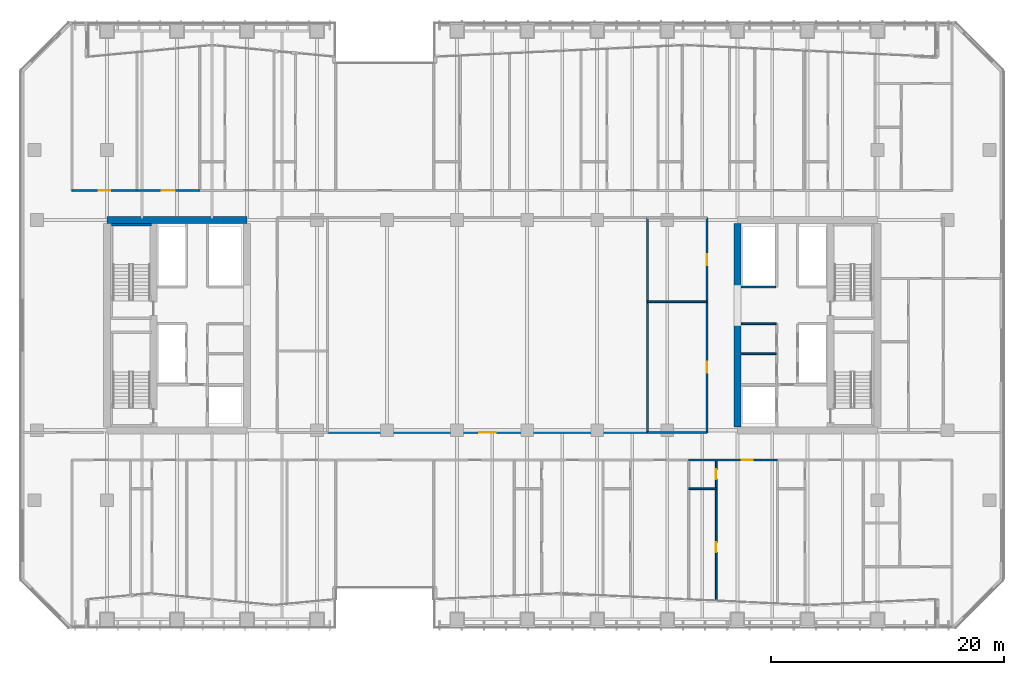
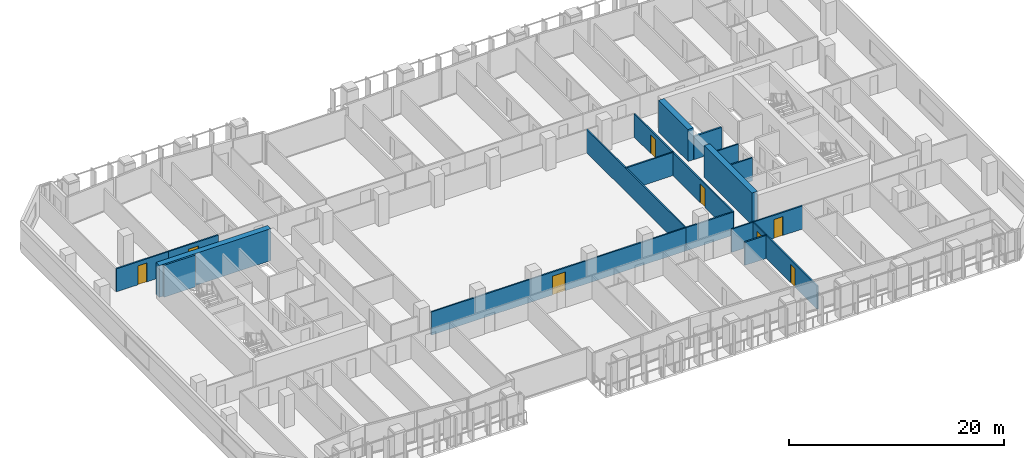
# One storey, part 20 of 31: 18 walls, 8 doors, 8 openings.
"""IFC4 building model written with IfcOpenShell, lengths in metres."""

from ifc_helpers import new_model, si_unit, direction, frame, frame_2d, origin, place, context, subcontext, project, spatial, rectangle, extrude, material, layer, layer_set, type_object, element, fill, save


model = new_model("IFC4")

# Units and contexts
model_context = context("Model", 3, precision=1e-05, world=origin(), true_north=direction((0.0, 1.0)))
body_context = subcontext(model_context, "Body", "Model", "MODEL_VIEW")
ifc_project = project(units=[si_unit("LENGTHUNIT", "METRE"), si_unit("AREAUNIT", "SQUARE_METRE"), si_unit("VOLUMEUNIT", "CUBIC_METRE"), si_unit("PLANEANGLEUNIT", "RADIAN"), si_unit("MASSUNIT", "GRAM", prefix="KILO")], contexts=[model_context])

# Site, building, storey
site_placement = place(None, origin())
site = spatial("IfcSite", under=ifc_project, at=site_placement, CompositionType="ELEMENT")
building_placement = place(site_placement, origin())
building = spatial("IfcBuilding", under=site, at=building_placement, Name="Tanjung Sevakor Pilgrim Tower", CompositionType="ELEMENT")
storey_placement = place(building_placement, frame((0.0, 0.0, 58.739990234375)))
storey = spatial("IfcBuildingStorey", under=building, at=storey_placement, Name="L16", CompositionType="ELEMENT", Elevation=58.739990234375)

# Walls
ifc_material_1 = material(Name="Concrete C60/75", Category="concrete")
ifc_layer_1 = layer(ifc_material_1, 0.60009765625)
ifc_layer_set_1 = layer_set([ifc_layer_1], Name="WALL-CW-600")
wall_type_1 = type_object("IfcWallType", Name="WALL-CW-600", PredefinedType="SHEAR", material=ifc_layer_set_1)
wall_1_placement = place(storey_placement, frame((36.0, 42.60009765625, 0.0), z_axis=(0.0, 0.0, 1.0), x_axis=(-1.0, 0.0, 0.0)))
element("IfcWall", 1, at=wall_1_placement, inside=storey, type_object=wall_type_1, Name="L16 W Core North Shear Wall", PredefinedType="SHEAR", context=body_context, shape_type="SweptSolid", body=[
    extrude(rectangle(XDim=12.0, YDim=0.60009765625, at=frame_2d((6.0, 0.0))), origin(), (0.0, 0.0, 1.0), 3.630126953125),
])
wall_2_placement = place(storey_placement, frame((78.0, 24.89990234375, 0.0), z_axis=(0.0, 0.0, 1.0), x_axis=(0.0, 1.0, 0.0)))
element("IfcWall", 2, at=wall_2_placement, inside=storey, type_object=wall_type_1, Name="L16 E Core Inner Shear Wall South", PredefinedType="SHEAR", context=body_context, shape_type="SweptSolid", body=[
    extrude(rectangle(XDim=8.900146484375, YDim=0.60009765625, at=frame_2d((4.4501953125, 0.0))), origin(), (0.0, 0.0, 1.0), 3.630126953125),
])
wall_3_placement = place(storey_placement, frame((78.0, 36.800048828125, 0.0), z_axis=(0.0, 0.0, 1.0), x_axis=(0.0, 1.0, 0.0)))
element("IfcWall", 3, at=wall_3_placement, inside=storey, type_object=wall_type_1, Name="L16 E Core Inner Shear Wall North", PredefinedType="SHEAR", context=body_context, shape_type="SweptSolid", body=[
    extrude(rectangle(XDim=5.5, YDim=0.60009765625, at=frame_2d((2.75, 0.0))), origin(), (0.0, 0.0, 1.0), 3.630126953125),
])
ifc_material_2 = material(Name="Concrete C40/50", Category="concrete")
ifc_layer_2 = layer(ifc_material_2, 0.14990234375)
ifc_layer_set_2 = layer_set([ifc_layer_2], Name="WT-COMP-150")
wall_type_2 = type_object("IfcWallType", Name="WT-COMP-150", PredefinedType="SOLIDWALL", material=ifc_layer_set_2)
for number, where, z_axis, x_axis, name in (
    (4, (78.320068359375, 31.14990234375, 0.0), (0.0, 0.0, 1.0), (1.0, 0.0, 0.0), "L16 Partition IW-L16-016"),
    (5, (78.320068359375, 33.719970703125, 0.0), (0.0, 0.0, 1.0), (1.0, 0.0, 0.0), "L16 Partition IW-L16-017"),
):
    element("IfcWall", number, at=place(storey_placement, frame(where, z_axis=z_axis, x_axis=x_axis)), inside=storey, type_object=wall_type_2, Name=name, PredefinedType="SOLIDWALL", context=body_context, shape_type="SweptSolid", body=[
        extrude(rectangle(XDim=3.0, YDim=0.14990234375, at=frame_2d((1.5, 0.0))), origin(), (0.0, 0.0, 1.0), 2.6298828125),
    ])

# Wall, opening, door
wall_4_placement = place(storey_placement, frame((42.89990234375, 24.39990234375, 0.0), z_axis=(0.0, 0.0, 1.0), x_axis=(1.0, 0.0, 0.0)))
wall_4 = element("IfcWall", 6, at=wall_4_placement, inside=storey, type_object=wall_type_2, Name="L16 Partition IW-L16-028", PredefinedType="SOLIDWALL", context=body_context, shape_type="SweptSolid", body=[
    extrude(rectangle(XDim=27.400146484375, YDim=0.14990234375, at=frame_2d((13.7001953125, 0.0))), origin(), (0.0, 0.0, 1.0), 2.625244140625),
])
opening_1_placement = place(wall_4_placement, frame((13.0, 0.0, 0.0)))
opening_1 = element("IfcOpeningElement", 7, at=opening_1_placement, cuts=wall_4, Name="Opening ID-HD1", PredefinedType="OPENING", context=body_context, shape_type="SweptSolid", body=[
    extrude(rectangle(XDim=1.39990234375, YDim=2.14990234375, at=frame_2d((0.699951171875, 1.074951171875))), frame((0.0, 0.0849609375, 0.0), z_axis=(0.0, -1.0, 0.0), x_axis=(1.0, 0.0, 0.0)), (0.0, 0.0, 1.0), 0.169921875),
])
ifc_material_3 = material(Name="Hardwood Timber", Category="wood")
door_type_1 = type_object("IfcDoorType", Name="DT-INT-1400", OperationType="DOUBLE_DOOR_SINGLE_SWING", PredefinedType="DOOR", material=ifc_material_3)
door_1_placement = place(opening_1_placement, origin())
door_1 = element("IfcDoor", 8, at=door_1_placement, inside=storey, type_object=door_type_1, Name="L16 Sky-Prayer Sanctuary Door", OperationType="SINGLE_SWING_RIGHT", OverallHeight=2.14990234375, OverallWidth=1.39990234375, PredefinedType="DOOR", context=body_context, shape_type="SweptSolid", body=[
    extrude(rectangle(XDim=1.39990234375, YDim=2.14990234375, at=frame_2d((0.699951171875, 1.074951171875))), frame((0.0, 0.02490234375, 0.0), z_axis=(0.0, -1.0, 0.0), x_axis=(1.0, 0.0, 0.0)), (0.0, 0.0, 1.0), 0.050048828125),
])
fill(opening_1, door_1)

# Walls
wall_5_placement = place(storey_placement, frame((70.300048828125, 24.39990234375, 0.0), z_axis=(0.0, 0.0, 1.0), x_axis=(0.0, 1.0, 0.0)))
element("IfcWall", 9, at=wall_5_placement, inside=storey, type_object=wall_type_2, Name="L16 Partition IW-L16-031", PredefinedType="SOLIDWALL", context=body_context, shape_type="SweptSolid", body=[
    extrude(rectangle(XDim=18.400146484375, YDim=0.14990234375, at=frame_2d((9.2001953125, 0.0))), origin(), (0.0, 0.0, 1.0), 2.6298828125),
])
wall_6_placement = place(storey_placement, frame((70.300048828125, 24.39990234375, 0.0), z_axis=(0.0, 0.0, 1.0), x_axis=(1.0, 0.0, 0.0)))
element("IfcWall", 10, at=wall_6_placement, inside=storey, type_object=wall_type_2, Name="L16 Partition IW-L16-032", PredefinedType="SOLIDWALL", context=body_context, shape_type="SweptSolid", body=[
    extrude(rectangle(XDim=5.099853515625, YDim=0.14990234375, at=frame_2d((2.5498046875, 0.0))), origin(), (0.0, 0.0, 1.0), 2.625244140625),
])
wall_7_placement = place(storey_placement, frame((70.300048828125, 35.60009765625, 0.0), z_axis=(0.0, 0.0, 1.0), x_axis=(1.0, 0.0, 0.0)))
element("IfcWall", 11, at=wall_7_placement, inside=storey, type_object=wall_type_2, Name="L16 Partition IW-L16-033", PredefinedType="SOLIDWALL", context=body_context, shape_type="SweptSolid", body=[
    extrude(rectangle(XDim=5.099853515625, YDim=0.14990234375, at=frame_2d((2.5498046875, 0.0))), origin(), (0.0, 0.0, 1.0), 2.6298828125),
])

# Wall, opening, door
wall_8_placement = place(storey_placement, frame((75.39990234375, 24.39990234375, 0.0), z_axis=(0.0, 0.0, 1.0), x_axis=(0.0, 1.0, 0.0)))
wall_8 = element("IfcWall", 12, at=wall_8_placement, inside=storey, type_object=wall_type_2, Name="L16 Partition IW-L16-034", PredefinedType="SOLIDWALL", context=body_context, shape_type="SweptSolid", body=[
    extrude(rectangle(XDim=11.2001953125, YDim=0.14990234375, at=frame_2d((5.60009765625, 0.0))), origin(), (0.0, 0.0, 1.0), 2.6298828125),
])
opening_2_placement = place(wall_8_placement, frame((5.125, 0.0, 0.0)))
opening_2 = element("IfcOpeningElement", 13, at=opening_2_placement, cuts=wall_8, Name="Opening ID-RM1", PredefinedType="OPENING", context=body_context, shape_type="SweptSolid", body=[
    extrude(rectangle(XDim=0.949951171875, YDim=2.14990234375, at=frame_2d((0.47509765625, 1.074951171875))), frame((0.0, 0.0849609375, 0.0), z_axis=(0.0, -1.0, 0.0), x_axis=(1.0, 0.0, 0.0)), (0.0, 0.0, 1.0), 0.169921875),
])
ifc_material_4 = material(Name="Hardwood Timber", Category="wood")
door_type_2 = type_object("IfcDoorType", Name="DT-INT-950", OperationType="NOTDEFINED", PredefinedType="DOOR", material=ifc_material_4)
door_2_placement = place(opening_2_placement, origin())
door_2 = element("IfcDoor", 14, at=door_2_placement, inside=storey, type_object=door_type_2, Name="L16 Female Ablution Door", OperationType="SINGLE_SWING_LEFT", OverallHeight=2.14990234375, OverallWidth=0.949951171875, PredefinedType="DOOR", context=body_context, shape_type="SweptSolid", body=[
    extrude(rectangle(XDim=0.949951171875, YDim=2.14990234375, at=frame_2d((0.47509765625, 1.074951171875))), frame((0.0, 0.02490234375, 0.0), z_axis=(0.0, -1.0, 0.0), x_axis=(1.0, 0.0, 0.0)), (0.0, 0.0, 1.0), 0.050048828125),
])
fill(opening_2, door_2)

wall_9_placement = place(storey_placement, frame((75.39990234375, 35.60009765625, 0.0), z_axis=(0.0, 0.0, 1.0), x_axis=(0.0, 1.0, 0.0)))
wall_9 = element("IfcWall", 15, at=wall_9_placement, inside=storey, type_object=wall_type_2, Name="L16 Partition IW-L16-036", PredefinedType="SOLIDWALL", context=body_context, shape_type="SweptSolid", body=[
    extrude(rectangle(XDim=7.199951171875, YDim=0.14990234375, at=frame_2d((3.60009765625, 0.0))), origin(), (0.0, 0.0, 1.0), 2.6298828125),
])
opening_3_placement = place(wall_9_placement, frame((3.125, 0.0, 0.0)))
opening_3 = element("IfcOpeningElement", 16, at=opening_3_placement, cuts=wall_9, Name="Opening ID-RM1", PredefinedType="OPENING", context=body_context, shape_type="SweptSolid", body=[
    extrude(rectangle(XDim=0.949951171875, YDim=2.14990234375, at=frame_2d((0.47509765625, 1.074951171875))), frame((0.0, 0.0849609375, 0.0), z_axis=(0.0, -1.0, 0.0), x_axis=(1.0, 0.0, 0.0)), (0.0, 0.0, 1.0), 0.169921875),
])
door_3_placement = place(opening_3_placement, origin())
door_3 = element("IfcDoor", 17, at=door_3_placement, inside=storey, type_object=door_type_2, Name="L16 Female Washroom Door", OperationType="SINGLE_SWING_RIGHT", OverallHeight=2.14990234375, OverallWidth=0.949951171875, PredefinedType="DOOR", context=body_context, shape_type="SweptSolid", body=[
    extrude(rectangle(XDim=0.949951171875, YDim=2.14990234375, at=frame_2d((0.47509765625, 1.074951171875))), frame((0.0, 0.02490234375, 0.0), z_axis=(0.0, -1.0, 0.0), x_axis=(1.0, 0.0, 0.0)), (0.0, 0.0, 1.0), 0.050048828125),
])
fill(opening_3, door_3)

wall_10_placement = place(storey_placement, frame((73.8369140625, 22.050048828125, 0.0), z_axis=(0.0, 0.0, 1.0), x_axis=(1.0, 0.0, 0.0)))
wall_10 = element("IfcWall", 18, at=wall_10_placement, inside=storey, type_object=wall_type_2, Name="L16 Partition IW-L16-076", PredefinedType="SOLIDWALL", context=body_context, shape_type="SweptSolid", body=[
    extrude(rectangle(XDim=7.614990234375, YDim=0.14990234375, at=frame_2d((3.8076171875, 0.0))), origin(), (0.0, 0.0, 1.0), 2.6298828125),
])
opening_4_placement = place(wall_10_placement, frame((4.547607421875, 0.0, 0.0)))
opening_4 = element("IfcOpeningElement", 19, at=opening_4_placement, cuts=wall_10, Name="Opening ID-FD2", PredefinedType="OPENING", context=body_context, shape_type="SweptSolid", body=[
    extrude(rectangle(XDim=0.949951171875, YDim=2.14990234375, at=frame_2d((0.47509765625, 1.074951171875))), frame((0.0, 0.0849609375, 0.0), z_axis=(0.0, -1.0, 0.0), x_axis=(1.0, 0.0, 0.0)), (0.0, 0.0, 1.0), 0.169921875),
])
ifc_material_5 = material(Name="Fire-Rated Timber", Category="wood")
door_type_3 = type_object("IfcDoorType", Name="DT-FIRE-950", OperationType="NOTDEFINED", PredefinedType="DOOR", material=ifc_material_5)
door_4_placement = place(opening_4_placement, origin())
door_4 = element("IfcDoor", 20, at=door_4_placement, inside=storey, type_object=door_type_3, Name="Hostel Quad Entrance", OperationType="SINGLE_SWING_RIGHT", OverallHeight=2.14990234375, OverallWidth=0.949951171875, PredefinedType="DOOR", context=body_context, shape_type="SweptSolid", body=[
    extrude(rectangle(XDim=0.949951171875, YDim=2.14990234375, at=frame_2d((0.47509765625, 1.074951171875))), frame((0.0, 0.02490234375, 0.0), z_axis=(0.0, -1.0, 0.0), x_axis=(1.0, 0.0, 0.0)), (0.0, 0.0, 1.0), 0.050048828125),
])
fill(opening_4, door_4)

wall_11_placement = place(storey_placement, frame((21.0, 45.14990234375, 0.0), z_axis=(0.0, 0.0, 1.0), x_axis=(1.0, 0.0, 0.0)))
wall_11 = element("IfcWall", 21, at=wall_11_placement, inside=storey, type_object=wall_type_2, Name="L16 Partition IW-L16-087", PredefinedType="SOLIDWALL", context=body_context, shape_type="SweptSolid", body=[
    extrude(rectangle(XDim=5.581298828125, YDim=0.14990234375, at=frame_2d((2.79052734375, 0.0))), origin(), (0.0, 0.0, 1.0), 2.6298828125),
])
opening_5_placement = place(wall_11_placement, frame((2.315673828125, 0.0, 0.0)))
opening_5 = element("IfcOpeningElement", 22, at=opening_5_placement, cuts=wall_11, Name="Opening ID-FD2", PredefinedType="OPENING", context=body_context, shape_type="SweptSolid", body=[
    extrude(rectangle(XDim=0.949951171875, YDim=2.14990234375, at=frame_2d((0.47509765625, 1.074951171875))), frame((0.0, 0.0849609375, 0.0), z_axis=(0.0, -1.0, 0.0), x_axis=(1.0, 0.0, 0.0)), (0.0, 0.0, 1.0), 0.169921875),
])
door_5_placement = place(opening_5_placement, origin())
door_5 = element("IfcDoor", 23, at=door_5_placement, inside=storey, type_object=door_type_3, Name="Study Room Entrance", OperationType="SINGLE_SWING_RIGHT", OverallHeight=2.14990234375, OverallWidth=0.949951171875, PredefinedType="DOOR", context=body_context, shape_type="SweptSolid", body=[
    extrude(rectangle(XDim=0.949951171875, YDim=2.14990234375, at=frame_2d((0.47509765625, 1.074951171875))), frame((0.0, 0.02490234375, 0.0), z_axis=(0.0, -1.0, 0.0), x_axis=(1.0, 0.0, 0.0)), (0.0, 0.0, 1.0), 0.050048828125),
])
fill(opening_5, door_5)

wall_12_placement = place(storey_placement, frame((26.581298828125, 45.14990234375, 0.0), z_axis=(0.0, 0.0, 1.0), x_axis=(1.0, 0.0, 0.0)))
wall_12 = element("IfcWall", 24, at=wall_12_placement, inside=storey, type_object=wall_type_2, Name="L16 Partition IW-L16-089", PredefinedType="SOLIDWALL", context=body_context, shape_type="SweptSolid", body=[
    extrude(rectangle(XDim=5.37451171875, YDim=0.14990234375, at=frame_2d((2.687255859375, 0.0))), origin(), (0.0, 0.0, 1.0), 2.6298828125),
])
opening_6_placement = place(wall_12_placement, frame((2.13720703125, 0.0, 0.0)))
opening_6 = element("IfcOpeningElement", 25, at=opening_6_placement, cuts=wall_12, Name="Opening ID-FD0", PredefinedType="OPENING", context=body_context, shape_type="SweptSolid", body=[
    extrude(rectangle(XDim=1.10009765625, YDim=2.14990234375, at=frame_2d((0.550048828125, 1.074951171875))), frame((0.0, 0.0849609375, 0.0), z_axis=(0.0, -1.0, 0.0), x_axis=(1.0, 0.0, 0.0)), (0.0, 0.0, 1.0), 0.169921875),
])
ifc_material_6 = material(Name="Fire-Rated Steel S355J2", Category="steel")
door_type_4 = type_object("IfcDoorType", Name="DT-FIRE-1100", OperationType="NOTDEFINED", PredefinedType="DOOR", material=ifc_material_6)
door_6_placement = place(opening_6_placement, origin())
door_6 = element("IfcDoor", 26, at=door_6_placement, inside=storey, type_object=door_type_4, Name="Seminar Room Door", OperationType="SINGLE_SWING_LEFT", OverallHeight=2.14990234375, OverallWidth=1.10009765625, PredefinedType="DOOR", context=body_context, shape_type="SweptSolid", body=[
    extrude(rectangle(XDim=1.10009765625, YDim=2.14990234375, at=frame_2d((0.550048828125, 1.074951171875))), frame((0.0, 0.02490234375, 0.0), z_axis=(0.0, -1.0, 0.0), x_axis=(1.0, 0.0, 0.0)), (0.0, 0.0, 1.0), 0.050048828125),
])
fill(opening_6, door_6)

# Walls
ifc_material_7 = material(Name="Concrete C40/50", Category="concrete")
ifc_layer_3 = layer(ifc_material_7, 0.199951171875)
ifc_layer_set_3 = layer_set([ifc_layer_3], Name="WT-FIRE-200")
wall_type_3 = type_object("IfcWallType", Name="WT-FIRE-200", PredefinedType="SOLIDWALL", material=ifc_layer_set_3)
wall_13_placement = place(storey_placement, frame((27.800048828125, 42.199951171875, 0.0), z_axis=(0.0, 0.0, 1.0), x_axis=(-1.0, 0.0, 0.0)))
element("IfcWall", 27, at=wall_13_placement, inside=storey, type_object=wall_type_3, Name="L16 TS-W2 Shaft Wall 2", PredefinedType="SOLIDWALL", context=body_context, shape_type="SweptSolid", body=[
    extrude(rectangle(XDim=3.400146484375, YDim=0.199951171875, at=frame_2d((1.7001953125, 0.0))), origin(), (0.0, 0.0, 1.0), 3.630126953125),
])
ifc_material_8 = material(Name="Concrete C40/50", Category="concrete")
ifc_layer_4 = layer(ifc_material_8, 0.199951171875)
ifc_layer_set_4 = layer_set([ifc_layer_4], Name="WT-FPRT-200")
wall_type_4 = type_object("IfcWallType", Name="WT-FPRT-200", PredefinedType="SOLIDWALL", material=ifc_layer_set_4)
wall_14_placement = place(storey_placement, frame((78.320068359375, 36.8798828125, 0.0), z_axis=(0.0, 0.0, 1.0), x_axis=(1.0, 0.0, 0.0)))
element("IfcWall", 28, at=wall_14_placement, inside=storey, type_object=wall_type_4, Name="L16 Partition IW-L16-021", PredefinedType="SOLIDWALL", context=body_context, shape_type="SweptSolid", body=[
    extrude(rectangle(XDim=3.0, YDim=0.199951171875, at=frame_2d((1.5, 0.0))), origin(), (0.0, 0.0, 1.0), 2.6298828125),
])
ifc_material_9 = material(Name="Gypsum Board Partition", Category="gypsum board")
ifc_layer_5 = layer(ifc_material_9, 0.14990234375)
ifc_layer_set_5 = layer_set([ifc_layer_5], Name="WT-PART-150")
wall_type_5 = type_object("IfcWallType", Name="WT-PART-150", PredefinedType="PARTITIONING", material=ifc_layer_set_5)
wall_15_placement = place(storey_placement, frame((73.8369140625, 19.60009765625, 0.0), z_axis=(0.0, 0.0, 1.0), x_axis=(1.0, 0.0, 0.0)))
element("IfcWall", 29, at=wall_15_placement, inside=storey, type_object=wall_type_5, Name="L16 Partition IW-L16-074", PredefinedType="PARTITIONING", context=body_context, shape_type="SweptSolid", body=[
    extrude(rectangle(XDim=2.35009765625, YDim=0.14990234375, at=frame_2d((1.175048828125, 0.0))), origin(), (0.0, 0.0, 1.0), 2.6298828125),
])

# Wall, openings, doors
wall_16_placement = place(storey_placement, frame((76.18701171875, 9.9951171875, 0.0), z_axis=(0.0, 0.0, 1.0), x_axis=(0.0, 1.0, 0.0)))
wall_16 = element("IfcWall", 30, at=wall_16_placement, inside=storey, type_object=wall_type_5, Name="L16 Partition IW-L16-075", PredefinedType="PARTITIONING", context=body_context, shape_type="SweptSolid", body=[
    extrude(rectangle(XDim=12.054931640625, YDim=0.14990234375, at=frame_2d((6.02734375, 0.0))), origin(), (0.0, 0.0, 1.0), 2.6298828125),
])
opening_7_placement = place(wall_16_placement, frame((4.15478515625, 0.0, 0.0)))
opening_7 = element("IfcOpeningElement", 31, at=opening_7_placement, cuts=wall_16, Name="Opening ID-WC1", PredefinedType="OPENING", context=body_context, shape_type="SweptSolid", body=[
    extrude(rectangle(XDim=0.85009765625, YDim=2.10009765625, at=frame_2d((0.425048828125, 1.050048828125))), frame((0.0, 0.0849609375, 0.0), z_axis=(0.0, -1.0, 0.0), x_axis=(1.0, 0.0, 0.0)), (0.0, 0.0, 1.0), 0.169921875),
])
opening_8_placement = place(wall_16_placement, frame((10.40478515625, 0.0, 0.0)))
opening_8 = element("IfcOpeningElement", 32, at=opening_8_placement, cuts=wall_16, Name="Opening ID-WC1", PredefinedType="OPENING", context=body_context, shape_type="SweptSolid", body=[
    extrude(rectangle(XDim=0.85009765625, YDim=2.10009765625, at=frame_2d((0.425048828125, 1.050048828125))), frame((0.0, 0.0849609375, 0.0), z_axis=(0.0, -1.0, 0.0), x_axis=(1.0, 0.0, 0.0)), (0.0, 0.0, 1.0), 0.169921875),
])
ifc_material_10 = material(Name="Moisture-Resistant Timber", Category="wood")
door_type_5 = type_object("IfcDoorType", Name="DT-INT-850", OperationType="NOTDEFINED", PredefinedType="DOOR", material=ifc_material_10)
door_7_placement = place(opening_7_placement, origin())
door_7 = element("IfcDoor", 33, at=door_7_placement, inside=storey, type_object=door_type_5, Name="Study Nook Door", OperationType="SINGLE_SWING_RIGHT", OverallHeight=2.10009765625, OverallWidth=0.85009765625, PredefinedType="DOOR", context=body_context, shape_type="SweptSolid", body=[
    extrude(rectangle(XDim=0.85009765625, YDim=2.10009765625, at=frame_2d((0.425048828125, 1.050048828125))), frame((0.0, 0.02490234375, 0.0), z_axis=(0.0, -1.0, 0.0), x_axis=(1.0, 0.0, 0.0)), (0.0, 0.0, 1.0), 0.050048828125),
])
fill(opening_7, door_7)
door_8_placement = place(opening_8_placement, origin())
door_8 = element("IfcDoor", 34, at=door_8_placement, inside=storey, type_object=door_type_5, Name="Bathroom Door", OperationType="SINGLE_SWING_LEFT", OverallHeight=2.10009765625, OverallWidth=0.85009765625, PredefinedType="DOOR", context=body_context, shape_type="SweptSolid", body=[
    extrude(rectangle(XDim=0.85009765625, YDim=2.10009765625, at=frame_2d((0.425048828125, 1.050048828125))), frame((0.0, 0.02490234375, 0.0), z_axis=(0.0, -1.0, 0.0), x_axis=(1.0, 0.0, 0.0)), (0.0, 0.0, 1.0), 0.050048828125),
])
fill(opening_8, door_8)

save(model, "model.ifc")
